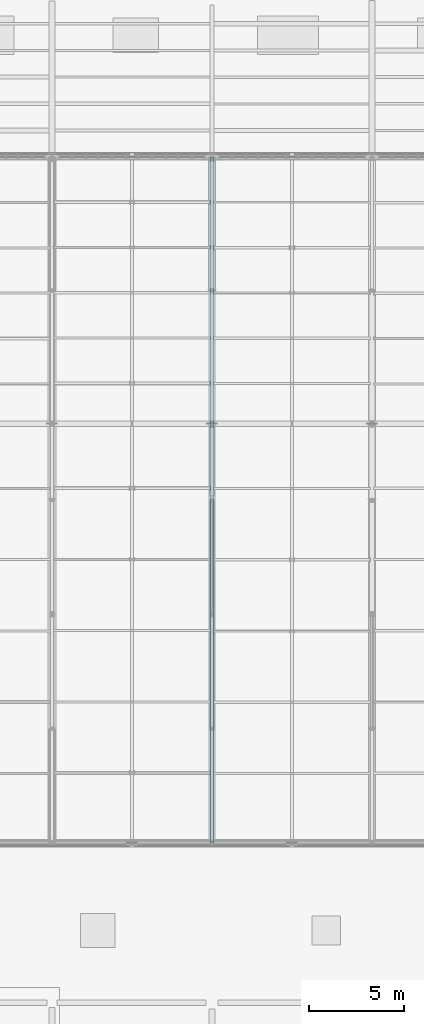
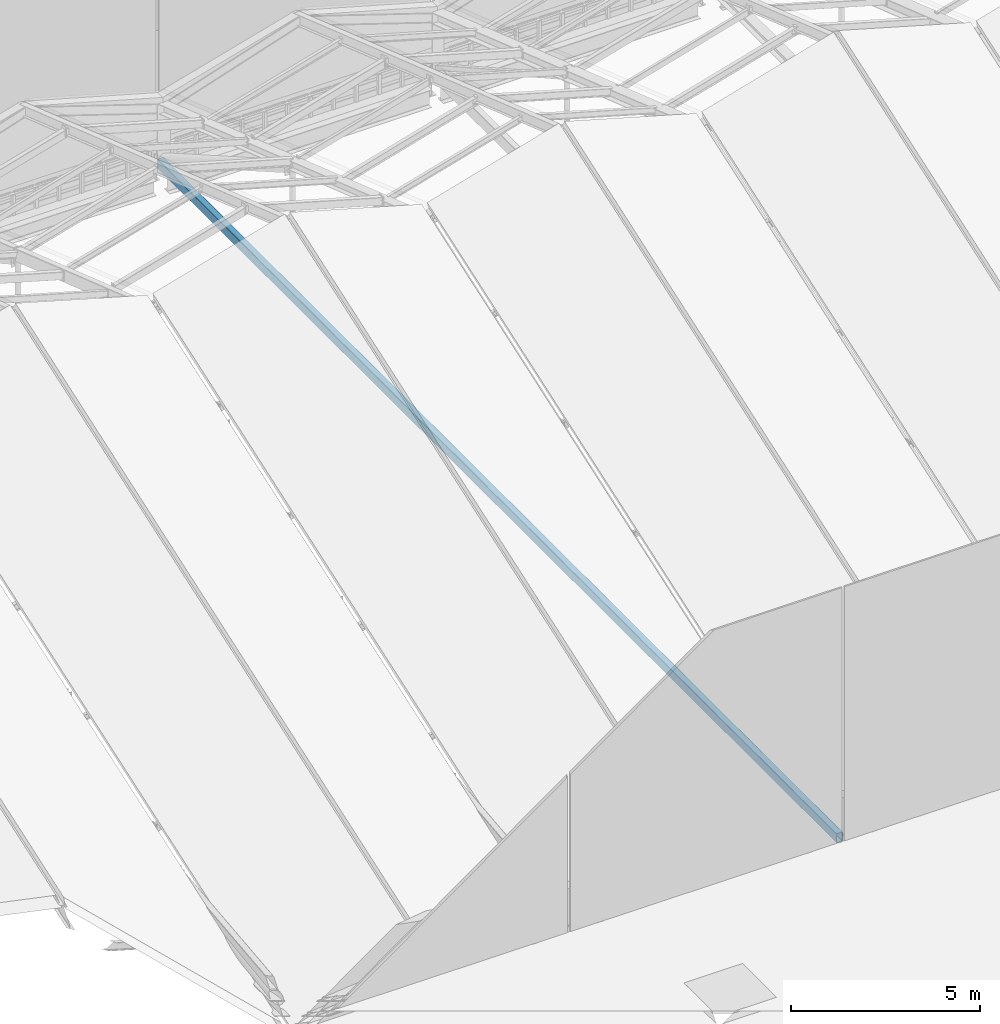
# One storey, part 16 of 77: 1 member.
"""IFC4 building model written with IfcOpenShell, lengths in metres."""

from ifc_helpers import new_model, si_unit, direction, frame, origin, origin_2d, place, context, subcontext, project, spatial, hollow_rectangle, extrude, material, material_profile, profile_set, type_object, element, save


model = new_model("IFC4")

# Units and contexts
model_context = context("Model", 3, precision=1e-05, world=origin(), true_north=direction((0.0, 1.0)))
body_context = subcontext(model_context, "Body", "Model", "MODEL_VIEW")
ifc_project = project(units=[si_unit("LENGTHUNIT", "METRE"), si_unit("AREAUNIT", "SQUARE_METRE"), si_unit("VOLUMEUNIT", "CUBIC_METRE"), si_unit("PLANEANGLEUNIT", "RADIAN"), si_unit("MASSUNIT", "GRAM", prefix="KILO")], contexts=[model_context])

# Site, building, storey
site_placement = place(None, origin())
site = spatial("IfcSite", under=ifc_project, at=site_placement, CompositionType="ELEMENT")
building_placement = place(site_placement, origin())
building = spatial("IfcBuilding", under=site, at=building_placement, Name="Larkvane Passage Sports Hall", CompositionType="ELEMENT")
storey_placement = place(building_placement, frame((0.0, 0.0, 22.199951171875)))
storey = spatial("IfcBuildingStorey", under=building, at=storey_placement, Name="RF", CompositionType="ELEMENT", Elevation=22.199951171875)

# Member
ifc_material = material(Name="Steel S460N", Category="steel")
ifc_material_profile = material_profile(ifc_material, hollow_rectangle(XDim=0.199951171875, YDim=0.300048828125, WallThickness=0.011962890625, InnerFilletRadius=0.011962890625, OuterFilletRadius=0.02392578125, at=origin_2d()), Name="RHS-300x200x12")
ifc_profile_set = profile_set([ifc_material_profile], Name="Steel S460N")
member_type = type_object("IfcMemberType", Name="MBR-CH-RHS300", PredefinedType="CHORD", material=ifc_profile_set)
member_placement = place(storey_placement, frame((60.0, 39.60009765625, 0.050048828125), z_axis=(0.0, 1.0, 0.0), x_axis=(-1.0, 0.0, 0.0)))
element("IfcMember", 1, at=member_placement, inside=storey, type_object=member_type, Name="Arena roof truss 4 bottom chord", PredefinedType="CHORD", context=body_context, shape_type="SweptSolid", body=[
    extrude(hollow_rectangle(XDim=0.199951171875, YDim=0.300048828125, WallThickness=0.011962890625, InnerFilletRadius=0.011962890625, OuterFilletRadius=0.02392578125, at=origin_2d()), origin(), (0.0, 0.0, 1.0), 36.0),
])

save(model, "model.ifc")
